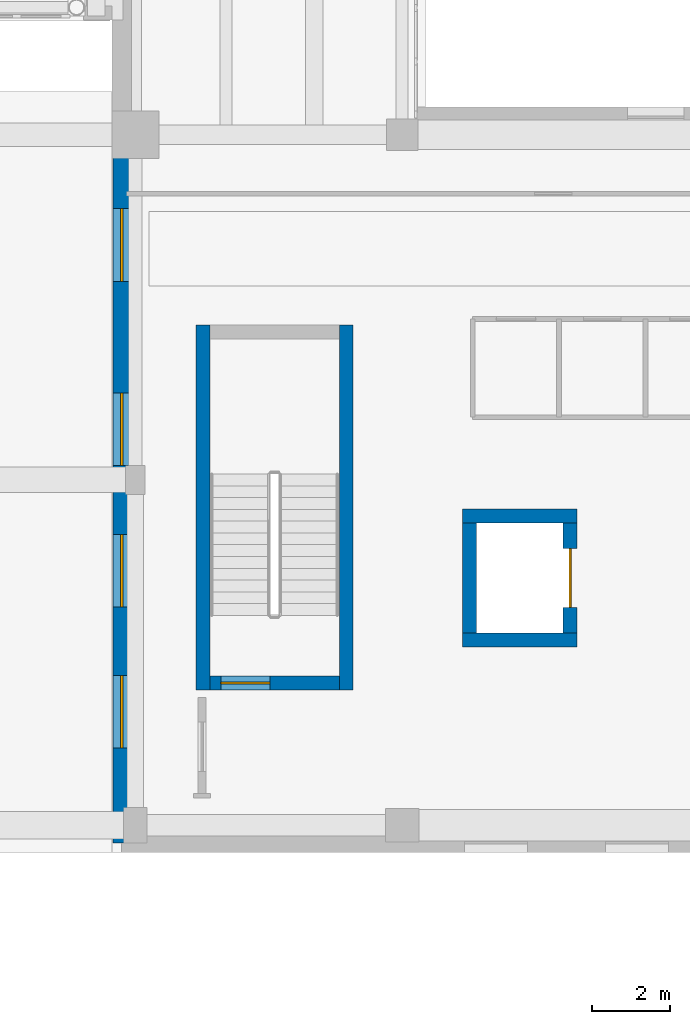
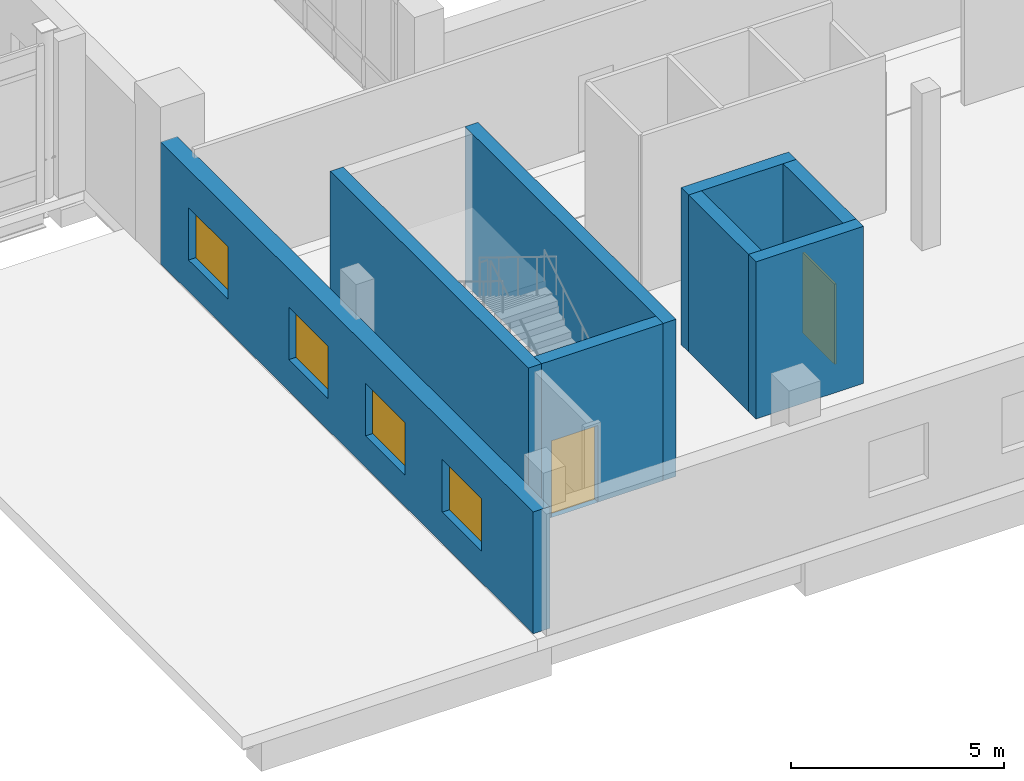
# One storey, part 53 of 75: 8 walls, 4 windows, 2 doors, 6 openings.
"""IFC4 building model written with IfcOpenShell, lengths in metres."""

import ifcopenshell
import ifcopenshell.guid

model = None  # the IFC model being written
_history = None  # IfcOwnerHistory: only IFC2X3 demands one
_inside = {}  # id of a spatial element -> (the spatial element, [elements in it])
_under = {}  # id of a project, library or spatial element -> (it, [spatial elements below it])
_declared = {}  # id of a project -> (the project, [libraries it declares])
_typed = {}  # id of a type object -> (the type object, [elements of that type])
_made_of = {}  # id of a material, layer set ... -> (it, [elements and type objects made of it])


def new_model(schema):
    """Start an empty IFC model of exactly this schema.

    Asked for "IFC4X3", IfcOpenShell would pick the latest addendum, in which some entities
    have other attributes; the version numbers below select the first issue.
    IFC2X3 requires an IfcOwnerHistory on every rooted entity: one is made here for all.
    """
    global model, _history
    if schema == "IFC4X3":
        model = ifcopenshell.file(schema_version=(4, 3, 0, 0))
    else:
        model = ifcopenshell.file(schema=schema)
    _inside.clear()
    _under.clear()
    _declared.clear()
    _typed.clear()
    _made_of.clear()
    _history = None
    if model.schema == "IFC2X3":
        org = make("IfcOrganization", Name="unknown")
        user = make(
            "IfcPersonAndOrganization",
            ThePerson=make("IfcPerson", FamilyName="unknown"),
            TheOrganization=org,
        )
        app = make(
            "IfcApplication",
            ApplicationDeveloper=org,
            Version="unknown",
            ApplicationFullName="unknown",
            ApplicationIdentifier="unknown",
        )
        _history = make(
            "IfcOwnerHistory",
            OwningUser=user,
            OwningApplication=app,
            ChangeAction="ADDED",
            CreationDate=0,
        )
    return model


def make(cls, **values):
    """One entity of the class cls with the attributes given. An attribute that is None is left unset."""
    return model.create_entity(
        cls, **{name: value for name, value in values.items() if value is not None}
    )


def rooted(cls, **values):
    """An entity with a GlobalId (a new one), such as an element, a storey or a relation."""
    return make(cls, GlobalId=ifcopenshell.guid.new(), OwnerHistory=_history, **values)


def si_unit(unit_type, name, prefix=None):
    """IfcSIUnit, for example si_unit("LENGTHUNIT", "METRE", prefix="MILLI")."""
    return make("IfcSIUnit", UnitType=unit_type, Prefix=prefix, Name=name)


def assignment(units):
    """IfcUnitAssignment: the units of a project."""
    return None if units is None else make("IfcUnitAssignment", Units=units)


def point(xyz):
    """IfcCartesianPoint."""
    return None if xyz is None else make("IfcCartesianPoint", Coordinates=xyz)


def direction(xyz):
    """IfcDirection."""
    return None if xyz is None else make("IfcDirection", DirectionRatios=xyz)


def frame(location, z_axis=None, x_axis=None):
    """IfcAxis2Placement3D, a coordinate frame: its origin and axes. An axis left out is left unset."""
    return make(
        "IfcAxis2Placement3D",
        Location=point(location),
        Axis=direction(z_axis),
        RefDirection=direction(x_axis),
    )


def frame_2d(location, x_axis=None):
    """IfcAxis2Placement2D, a coordinate frame in the plane: its origin and x axis."""
    return make(
        "IfcAxis2Placement2D", Location=point(location), RefDirection=direction(x_axis)
    )


def origin():
    """The frame at (0, 0, 0) with its axes left unset."""
    return frame((0.0, 0.0, 0.0))


def place(relative_to, where):
    """IfcLocalPlacement: puts the frame where relative to a parent placement (None: the world)."""
    return make(
        "IfcLocalPlacement", PlacementRelTo=relative_to, RelativePlacement=where
    )


def context(
    kind, dimensions, precision=None, world=None, true_north=None, identifier=None
):
    """IfcGeometricRepresentationContext, for example the 3D "Model" context."""
    return make(
        "IfcGeometricRepresentationContext",
        ContextIdentifier=identifier,
        ContextType=kind,
        CoordinateSpaceDimension=dimensions,
        Precision=precision,
        WorldCoordinateSystem=world,
        TrueNorth=true_north,
    )


def subcontext(parent, identifier, kind, view, scale=None):
    """IfcGeometricRepresentationSubContext, for example "Body" below "Model"."""
    return make(
        "IfcGeometricRepresentationSubContext",
        ContextIdentifier=identifier,
        ContextType=kind,
        ParentContext=parent,
        TargetScale=scale,
        TargetView=view,
    )


def project(units=None, contexts=None):
    """IfcProject with its units and contexts."""
    return rooted(
        "IfcProject",
        Name="project",
        RepresentationContexts=contexts,
        UnitsInContext=assignment(units),
    )


def spatial(cls, under=None, at=None, **own):
    """A site, building, storey or space (cls), placed at a placement, below another one or the project."""
    s = rooted(cls, ObjectPlacement=at, **own)
    if under is not None:
        _under.setdefault(under.id(), (under, []))[1].append(s)
    return s


def profile(cls, at=None, kind="AREA", **sizes):
    """A parametric profile (cls). Its sizes go by their IFC names, for example OverallWidth=200.0."""
    return make(cls, ProfileType=kind, Position=at, **sizes)


def rectangle(**sizes):
    """IfcRectangleProfileDef."""
    return profile("IfcRectangleProfileDef", **sizes)


def extrude(swept, where, along, depth):
    """IfcExtrudedAreaSolid: the profile swept, set in the frame where, extruded along a direction by depth."""
    return make(
        "IfcExtrudedAreaSolid",
        SweptArea=swept,
        Position=where,
        ExtrudedDirection=direction(along),
        Depth=depth,
    )


def shape(context_of_items, identifier, shape_type, items):
    """IfcShapeRepresentation: the items that make up one representation, for example the "Body"."""
    return make(
        "IfcShapeRepresentation",
        ContextOfItems=context_of_items,
        RepresentationIdentifier=identifier,
        RepresentationType=shape_type,
        Items=items,
    )


def material(Name=None, Category=None):
    """IfcMaterial."""
    return make("IfcMaterial", Name=Name, Category=Category)


def layer(
    of_material, thickness, ventilated=None, Name=None, Category=None, Priority=None
):
    """IfcMaterialLayer: one layer of a wall or slab, of a material (None: an air gap)."""
    return make(
        "IfcMaterialLayer",
        Material=of_material,
        LayerThickness=thickness,
        IsVentilated=ventilated,
        Name=Name,
        Category=Category,
        Priority=Priority,
    )


def layer_set(layers, Name=None):
    """IfcMaterialLayerSet."""
    return make("IfcMaterialLayerSet", MaterialLayers=layers, LayerSetName=Name)


def made_of(thing, what):
    """Note that an element or type object is made of a material, layer set ...; save() writes the relation."""
    if what is not None:
        _made_of.setdefault(what.id(), (what, []))[1].append(thing)
    return thing


def type_object(cls, material=None, **own):
    """A type object (cls), such as IfcWallType, which elements share."""
    return made_of(rooted(cls, **own), material)


def element(
    cls,
    number,
    at=None,
    inside=None,
    cuts=None,
    type_object=None,
    material=None,
    context=None,
    identifier="Body",
    shape_type=None,
    held_by="IfcProductDefinitionShape",
    body=None,
    shapes=None,
    **own,
):
    """One element of the class cls, such as IfcWall. Its Tag is "e" and its number.

    at: its placement. inside: the storey or other place that contains it. cuts: it is an
    opening in that element (IfcRelVoidsElement). A single representation is given by context,
    identifier, shape_type and body (its items); several are given by shapes. held_by: the class
    of the entity that holds the representations. save() writes the other relations.
    """
    e = rooted(cls, Tag="e%d" % number, ObjectPlacement=at, **own)
    if body is not None:
        shapes = [shape(context, identifier, shape_type, body)]
    if shapes is not None:
        e.Representation = make(held_by, Representations=shapes)
    if inside is not None:
        _inside.setdefault(inside.id(), (inside, []))[1].append(e)
    if cuts is not None:
        rooted(
            "IfcRelVoidsElement", RelatingBuildingElement=cuts, RelatedOpeningElement=e
        )
    if type_object is not None:
        _typed.setdefault(type_object.id(), (type_object, []))[1].append(e)
    return made_of(e, material)


def fill(opening, filler):
    """IfcRelFillsElement: the door or window that sits in an opening."""
    return rooted(
        "IfcRelFillsElement",
        RelatingOpeningElement=opening,
        RelatedBuildingElement=filler,
    )


def aggregate(whole, parts):
    """IfcRelAggregates: a whole, such as a stair, and the parts it consists of."""
    return rooted("IfcRelAggregates", RelatingObject=whole, RelatedObjects=parts)


def save(model, path):
    """Write the relations noted so far, then the file.

    IfcRelAggregates (storeys below a building ...), IfcRelContainedInSpatialStructure (elements
    in a storey), IfcRelDefinesByType, IfcRelAssociatesMaterial and IfcRelDeclares: one each for
    every whole, place, type object, material and project.
    """
    for whole, parts in _under.values():
        aggregate(whole, parts)
    for where, things in _inside.values():
        rooted(
            "IfcRelContainedInSpatialStructure",
            RelatedElements=things,
            RelatingStructure=where,
        )
    for kind, things in _typed.values():
        rooted("IfcRelDefinesByType", RelatedObjects=things, RelatingType=kind)
    for what, things in _made_of.values():
        rooted("IfcRelAssociatesMaterial", RelatedObjects=things, RelatingMaterial=what)
    for by, libraries in _declared.values():
        rooted("IfcRelDeclares", RelatingContext=by, RelatedDefinitions=libraries)
    model.write(path)


model = new_model("IFC4")

# Units and contexts
model_context = context("Model", 3, precision=1e-05, world=origin(), true_north=direction((0.0, 1.0)))
body_context = subcontext(model_context, "Body", "Model", "MODEL_VIEW")
ifc_project = project(units=[si_unit("LENGTHUNIT", "METRE"), si_unit("AREAUNIT", "SQUARE_METRE"), si_unit("VOLUMEUNIT", "CUBIC_METRE"), si_unit("PLANEANGLEUNIT", "RADIAN"), si_unit("MASSUNIT", "GRAM", prefix="KILO")], contexts=[model_context])

# Site, building, storey
site_placement = place(None, origin())
site = spatial("IfcSite", under=ifc_project, at=site_placement, CompositionType="ELEMENT")
building_placement = place(site_placement, origin())
building = spatial("IfcBuilding", under=site, at=building_placement, Name="Soyqirgoq Riverine Aquarium", CompositionType="ELEMENT")
storey_placement = place(building_placement, frame((0.0, 0.0, 10.199951171875)))
storey = spatial("IfcBuildingStorey", under=building, at=storey_placement, Name="L03", CompositionType="ELEMENT", Elevation=10.199951171875)

# Walls
ifc_material_1 = material(Name="Concrete C40/50", Category="concrete")
ifc_layer_1 = layer(ifc_material_1, 0.35009765625)
ifc_layer_set_1 = layer_set([ifc_layer_1], Name="Concrete C40/50")
wall_type_1 = type_object("IfcWallType", Name="CoreShearWall_350_C40", PredefinedType="SHEAR", material=ifc_layer_set_1)
for number, where, z_axis, x_axis, name in (
    (1, (127.97509765625, 60.14990234375, 0.0), (0.0, 0.0, 1.0), (0.0, 1.0, 0.0), "CORE-7 L03 Stair Core Shear Wall SIDE1"),
    (2, (124.324951171875, 69.449951171875, 0.0), (0.0, 0.0, 1.0), (0.0, -1.0, 0.0), "CORE-7 L03 Stair Core Shear Wall SIDE2"),
):
    element("IfcWall", number, at=place(storey_placement, frame(where, z_axis=z_axis, x_axis=x_axis)), inside=storey, type_object=wall_type_1, Name=name, PredefinedType="SHEAR", context=body_context, shape_type="SweptSolid", body=[
        extrude(rectangle(XDim=9.300048828125, YDim=0.35009765625, at=frame_2d((4.64990234375, 0.0))), origin(), (0.0, 0.0, 1.0), 4.5),
    ])

# Wall, opening, door
wall_1_placement = place(storey_placement, frame((124.5, 60.324951171875, 0.0), z_axis=(0.0, 0.0, 1.0), x_axis=(1.0, 0.0, 0.0)))
wall_1 = element("IfcWall", 3, at=wall_1_placement, inside=storey, type_object=wall_type_1, Name="CORE-7 L03 Stair Core Shear Wall FRONT", PredefinedType="SHEAR", context=body_context, shape_type="SweptSolid", body=[
    extrude(rectangle(XDim=3.300048828125, YDim=0.35009765625, at=frame_2d((1.64990234375, 0.0))), origin(), (0.0, 0.0, 1.0), 4.5),
])
opening_1_placement = place(wall_1_placement, frame((0.280029296875, 0.0, 0.0)))
opening_1 = element("IfcOpeningElement", 4, at=opening_1_placement, cuts=wall_1, Name="Opening FD-01", PredefinedType="OPENING", context=body_context, shape_type="SweptSolid", body=[
    extrude(rectangle(XDim=1.25, YDim=2.199951171875, at=frame_2d((0.625, 1.10009765625))), frame((0.0, 0.18505859375, 0.0), z_axis=(0.0, -1.0, 0.0), x_axis=(1.0, 0.0, 0.0)), (0.0, 0.0, 1.0), 0.3701171875),
])
ifc_material_2 = material(Name="Galvanised steel fire-resisting stair door", Category="steel")
door_type_1 = type_object("IfcDoorType", Name="StairFireDoor_1250x2200_EI90", OperationType="NOTDEFINED", PredefinedType="DOOR", material=ifc_material_2)
door_1_placement = place(opening_1_placement, origin())
door_1 = element("IfcDoor", 5, at=door_1_placement, inside=storey, type_object=door_type_1, Name="DR-ST-8-L03 ST-8 L03 Fire-Rated Stairwell Door", OperationType="SINGLE_SWING_RIGHT", OverallHeight=2.199951171875, OverallWidth=1.25, PredefinedType="DOOR", context=body_context, shape_type="SweptSolid", body=[
    extrude(rectangle(XDim=1.25, YDim=2.199951171875, at=frame_2d((0.625, 1.10009765625))), frame((0.0, 0.02490234375, 0.0), z_axis=(0.0, -1.0, 0.0), x_axis=(1.0, 0.0, 0.0)), (0.0, 0.0, 1.0), 0.050048828125),
])
fill(opening_1, door_1)

# Wall
wall_2_placement = place(storey_placement, frame((130.945068359375, 61.419921875, 0.0), z_axis=(0.0, 0.0, 1.0), x_axis=(1.0, 0.0, 0.0)))
element("IfcWall", 6, at=wall_2_placement, inside=storey, type_object=wall_type_1, Name="Lift GL-2 Shaft Wall L03 1", PredefinedType="SHEAR", context=body_context, shape_type="SweptSolid", body=[
    extrude(rectangle(XDim=2.909912109375, YDim=0.35009765625, at=frame_2d((1.455078125, 0.0))), origin(), (0.0, 0.0, 1.0), 4.5),
])

# Wall, opening, door
wall_3_placement = place(storey_placement, frame((133.679931640625, 61.594970703125, 0.0), z_axis=(0.0, 0.0, 1.0), x_axis=(0.0, 1.0, 0.0)))
wall_3 = element("IfcWall", 7, at=wall_3_placement, inside=storey, type_object=wall_type_1, Name="Lift GL-2 Shaft Wall L03 2", PredefinedType="SHEAR", context=body_context, shape_type="SweptSolid", body=[
    extrude(rectangle(XDim=2.81005859375, YDim=0.35009765625, at=frame_2d((1.405029296875, 0.0))), origin(), (0.0, 0.0, 1.0), 4.5),
])
opening_2_placement = place(wall_3_placement, frame((0.655029296875, 0.0, 0.0)))
opening_2 = element("IfcOpeningElement", 8, at=opening_2_placement, cuts=wall_3, Name="Opening LD-02", PredefinedType="OPENING", context=body_context, shape_type="SweptSolid", body=[
    extrude(rectangle(XDim=1.5, YDim=2.300048828125, at=frame_2d((0.75, 1.14990234375))), frame((0.0, 0.18505859375, 0.0), z_axis=(0.0, -1.0, 0.0), x_axis=(1.0, 0.0, 0.0)), (0.0, 0.0, 1.0), 0.3701171875),
])
ifc_material_3 = material(Name="Heavy-duty stainless steel bi-parting lift landing door", Category="steel")
door_type_2 = type_object("IfcDoorType", Name="GoodsLiftLandingDoor_1500x2300", OperationType="SLIDING_TO_LEFT", PredefinedType="DOOR", material=ifc_material_3)
door_2_placement = place(opening_2_placement, origin())
door_2 = element("IfcDoor", 9, at=door_2_placement, inside=storey, type_object=door_type_2, Name="LD-GL-2-L03 Lift GL-2 L03 Sliding Landing Door", OperationType="SLIDING_TO_LEFT", OverallHeight=2.300048828125, OverallWidth=1.5, PredefinedType="DOOR", context=body_context, shape_type="SweptSolid", body=[
    extrude(rectangle(XDim=1.5, YDim=2.300048828125, at=frame_2d((0.75, 1.14990234375))), frame((0.0, 0.02490234375, 0.0), z_axis=(0.0, -1.0, 0.0), x_axis=(1.0, 0.0, 0.0)), (0.0, 0.0, 1.0), 0.050048828125),
])
fill(opening_2, door_2)

# Walls
wall_4_placement = place(storey_placement, frame((133.85498046875, 64.580078125, 0.0), z_axis=(0.0, 0.0, 1.0), x_axis=(-1.0, 0.0, 0.0)))
element("IfcWall", 10, at=wall_4_placement, inside=storey, type_object=wall_type_1, Name="Lift GL-2 Shaft Wall L03 3", PredefinedType="SHEAR", context=body_context, shape_type="SweptSolid", body=[
    extrude(rectangle(XDim=2.909912109375, YDim=0.35009765625, at=frame_2d((1.455078125, 0.0))), origin(), (0.0, 0.0, 1.0), 4.5),
])
wall_5_placement = place(storey_placement, frame((131.1201171875, 64.405029296875, 0.0), z_axis=(0.0, 0.0, 1.0), x_axis=(0.0, -1.0, 0.0)))
element("IfcWall", 11, at=wall_5_placement, inside=storey, type_object=wall_type_1, Name="Lift GL-2 Shaft Wall L03 4", PredefinedType="SHEAR", context=body_context, shape_type="SweptSolid", body=[
    extrude(rectangle(XDim=2.81005859375, YDim=0.35009765625, at=frame_2d((1.405029296875, 0.0))), origin(), (0.0, 0.0, 1.0), 4.5),
])

# Wall, openings, windows
ifc_material_4 = material(Name="Honed travertine limestone cavity wall", Category="masonry")
ifc_layer_2 = layer(ifc_material_4, 0.449951171875)
ifc_layer_set_2 = layer_set([ifc_layer_2], Name="Honed travertine limestone cavity wall")
wall_type_2 = type_object("IfcWallType", Name="TravertineCavityWall_450", PredefinedType="SOLIDWALL", material=ifc_layer_set_2)
wall_6_placement = place(storey_placement, frame((122.25, 56.25, 0.0), z_axis=(0.0, 0.0, 1.0), x_axis=(0.0, 1.0, 0.0)))
wall_6 = element("IfcWall", 12, at=wall_6_placement, inside=storey, type_object=wall_type_2, Name="V7 L03 Exterior Travertine Wall 0388", PredefinedType="SOLIDWALL", context=body_context, shape_type="SweptSolid", body=[
    extrude(rectangle(XDim=17.47998046875, YDim=0.449951171875, at=frame_2d((8.739990234375, 0.0))), origin(), (0.0, 0.0, 1.0), 3.489990234375),
])
opening_3_placement = place(wall_6_placement, frame((2.4150390625, 0.0, 0.89990234375)))
opening_3 = element("IfcOpeningElement", 13, at=opening_3_placement, cuts=wall_6, Name="Opening WN-16", PredefinedType="OPENING", context=body_context, shape_type="SweptSolid", body=[
    extrude(rectangle(XDim=1.85009765625, YDim=1.5, at=frame_2d((0.925048828125, 0.75))), frame((0.0, 0.23486328125, 0.0), z_axis=(0.0, -1.0, 0.0), x_axis=(1.0, 0.0, 0.0)), (0.0, 0.0, 1.0), 0.469970703125),
])
opening_4_placement = place(wall_6_placement, frame((6.014892578125, 0.0, 0.89990234375)))
opening_4 = element("IfcOpeningElement", 14, at=opening_4_placement, cuts=wall_6, Name="Opening WN-16", PredefinedType="OPENING", context=body_context, shape_type="SweptSolid", body=[
    extrude(rectangle(XDim=1.85009765625, YDim=1.5, at=frame_2d((0.925048828125, 0.75))), frame((0.0, 0.23486328125, 0.0), z_axis=(0.0, -1.0, 0.0), x_axis=(1.0, 0.0, 0.0)), (0.0, 0.0, 1.0), 0.469970703125),
])
opening_5_placement = place(wall_6_placement, frame((9.614990234375, 0.0, 0.89990234375)))
opening_5 = element("IfcOpeningElement", 15, at=opening_5_placement, cuts=wall_6, Name="Opening WN-16", PredefinedType="OPENING", context=body_context, shape_type="SweptSolid", body=[
    extrude(rectangle(XDim=1.85009765625, YDim=1.5, at=frame_2d((0.925048828125, 0.75))), frame((0.0, 0.23486328125, 0.0), z_axis=(0.0, -1.0, 0.0), x_axis=(1.0, 0.0, 0.0)), (0.0, 0.0, 1.0), 0.469970703125),
])
opening_6_placement = place(wall_6_placement, frame((14.31494140625, 0.0, 0.89990234375)))
opening_6 = element("IfcOpeningElement", 16, at=opening_6_placement, cuts=wall_6, Name="Opening WN-16", PredefinedType="OPENING", context=body_context, shape_type="SweptSolid", body=[
    extrude(rectangle(XDim=1.85009765625, YDim=1.5, at=frame_2d((0.925048828125, 0.75))), frame((0.0, 0.23486328125, 0.0), z_axis=(0.0, -1.0, 0.0), x_axis=(1.0, 0.0, 0.0)), (0.0, 0.0, 1.0), 0.469970703125),
])
ifc_material_5 = material(Name="Thermally broken aluminium triple low-E window", Category="aluminium")
window_type = type_object("IfcWindowType", Name="Win_Lab_1850x1500", PartitioningType="DOUBLE_PANEL_VERTICAL", PredefinedType="WINDOW", material=ifc_material_5)
window_1_placement = place(opening_3_placement, origin())
window_1 = element("IfcWindow", 17, at=window_1_placement, inside=storey, type_object=window_type, Name="V7 L03 Facade Window 0348", OverallHeight=1.5, OverallWidth=1.85009765625, PartitioningType="DOUBLE_PANEL_VERTICAL", PredefinedType="WINDOW", context=body_context, shape_type="SweptSolid", body=[
    extrude(rectangle(XDim=1.85009765625, YDim=1.5, at=frame_2d((0.925048828125, 0.75))), frame((0.0, 0.030029296875, 0.0), z_axis=(0.0, -1.0, 0.0), x_axis=(1.0, 0.0, 0.0)), (0.0, 0.0, 1.0), 0.06005859375),
])
fill(opening_3, window_1)
window_2_placement = place(opening_4_placement, origin())
window_2 = element("IfcWindow", 18, at=window_2_placement, inside=storey, type_object=window_type, Name="V7 L03 Facade Window 0349", OverallHeight=1.5, OverallWidth=1.85009765625, PartitioningType="DOUBLE_PANEL_VERTICAL", PredefinedType="WINDOW", context=body_context, shape_type="SweptSolid", body=[
    extrude(rectangle(XDim=1.85009765625, YDim=1.5, at=frame_2d((0.925048828125, 0.75))), frame((0.0, 0.030029296875, 0.0), z_axis=(0.0, -1.0, 0.0), x_axis=(1.0, 0.0, 0.0)), (0.0, 0.0, 1.0), 0.06005859375),
])
fill(opening_4, window_2)
window_3_placement = place(opening_5_placement, origin())
window_3 = element("IfcWindow", 19, at=window_3_placement, inside=storey, type_object=window_type, Name="V7 L03 Facade Window 0350", OverallHeight=1.5, OverallWidth=1.85009765625, PartitioningType="DOUBLE_PANEL_VERTICAL", PredefinedType="WINDOW", context=body_context, shape_type="SweptSolid", body=[
    extrude(rectangle(XDim=1.85009765625, YDim=1.5, at=frame_2d((0.925048828125, 0.75))), frame((0.0, 0.030029296875, 0.0), z_axis=(0.0, -1.0, 0.0), x_axis=(1.0, 0.0, 0.0)), (0.0, 0.0, 1.0), 0.06005859375),
])
fill(opening_5, window_3)
window_4_placement = place(opening_6_placement, origin())
window_4 = element("IfcWindow", 20, at=window_4_placement, inside=storey, type_object=window_type, Name="V7 L03 Facade Window 0351", OverallHeight=1.5, OverallWidth=1.85009765625, PartitioningType="DOUBLE_PANEL_VERTICAL", PredefinedType="WINDOW", context=body_context, shape_type="SweptSolid", body=[
    extrude(rectangle(XDim=1.85009765625, YDim=1.5, at=frame_2d((0.925048828125, 0.75))), frame((0.0, 0.030029296875, 0.0), z_axis=(0.0, -1.0, 0.0), x_axis=(1.0, 0.0, 0.0)), (0.0, 0.0, 1.0), 0.06005859375),
])
fill(opening_6, window_4)

save(model, "model.ifc")
